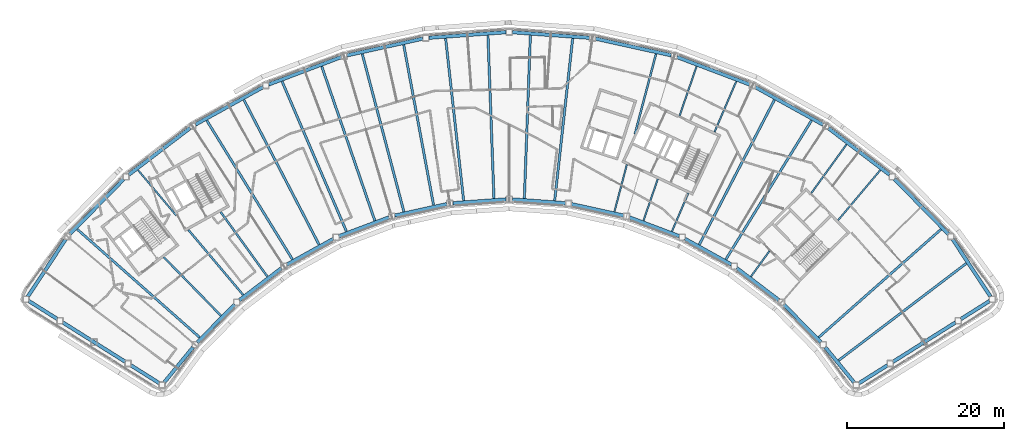
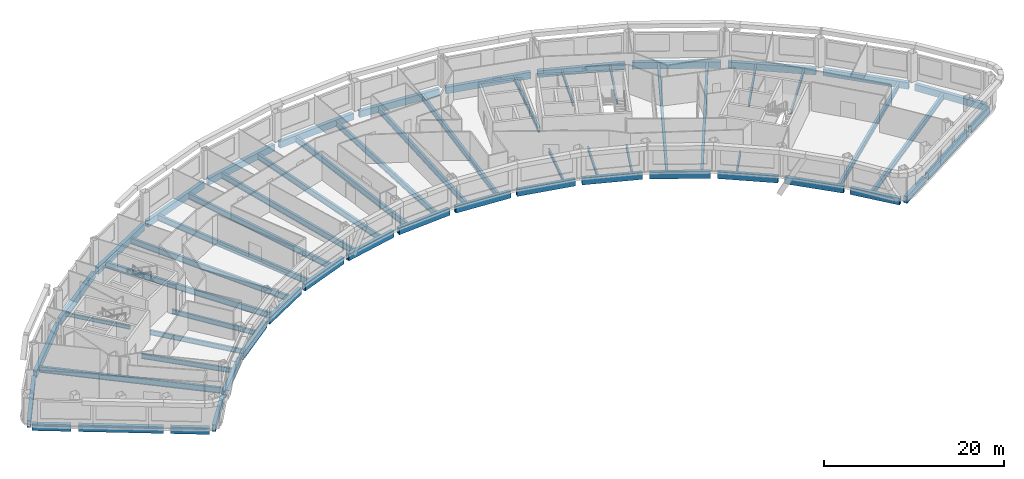
# One storey, part 3 of 14: 62 beams.
"""IFC4 building model written with IfcOpenShell, lengths in metres."""

from ifc_helpers import new_model, si_unit, direction, frame, origin, origin_2d, place, context, subcontext, project, spatial, hollow_rectangle, i_section, extrude, material, material_profile, profile_set, type_object, element, save


model = new_model("IFC4")

# Units and contexts
model_context = context("Model", 3, precision=1e-05, world=origin(), true_north=direction((0.0, 1.0)))
body_context = subcontext(model_context, "Body", "Model", "MODEL_VIEW")
ifc_project = project(units=[si_unit("LENGTHUNIT", "METRE"), si_unit("AREAUNIT", "SQUARE_METRE"), si_unit("VOLUMEUNIT", "CUBIC_METRE"), si_unit("PLANEANGLEUNIT", "RADIAN"), si_unit("MASSUNIT", "GRAM", prefix="KILO")], contexts=[model_context])

# Site, building, storey
site_placement = place(None, origin())
site = spatial("IfcSite", under=ifc_project, at=site_placement, CompositionType="ELEMENT")
building_placement = place(site_placement, origin())
building = spatial("IfcBuilding", under=site, at=building_placement, Name="Tuul Gate Civic Tower", CompositionType="ELEMENT")
storey_placement = place(building_placement, frame((0.0, 0.0, 269.39990234375)))
storey = spatial("IfcBuildingStorey", under=building, at=storey_placement, Name="Level 61", CompositionType="ELEMENT", Elevation=269.39990234375)

# Beams
ifc_material_1 = material(Name="Steel S355", Category="steel")
ifc_material_profile_1 = material_profile(ifc_material_1, i_section(OverallWidth=0.199951171875, OverallDepth=0.5, WebThickness=0.010009765625, FlangeThickness=0.01611328125, at=origin_2d()), Name="PG500x200x10x16")
ifc_profile_set_1 = profile_set([ifc_material_profile_1], Name="Steel S355")
beam_type_1 = type_object("IfcBeamType", Name="STR-FLOOR BEAM-PG500x200x10x16", PredefinedType="BEAM", material=ifc_profile_set_1)
beam_1_placement = place(storey_placement, frame((53.012939453125, -10.570068359375, -0.5498046875), z_axis=(0.644124963716, 0.764920277622, 0.0), x_axis=(-0.764920277622, 0.644124963716, 0.0)))
element("IfcBeam", 1, at=beam_1_placement, inside=storey, type_object=beam_type_1, Name="Floor beam", PredefinedType="BEAM", context=body_context, shape_type="SweptSolid", body=[
    extrude(i_section(OverallWidth=0.199951171875, OverallDepth=0.5, WebThickness=0.010009765625, FlangeThickness=0.01611328125, at=origin_2d()), origin(), (0.0, 0.0, 1.0), 8.367431640625),
])
beam_2_placement = place(storey_placement, frame((41.900390625, -17.74755859375, -0.5498046875), z_axis=(0.58608498793, 0.810249583106, 0.0), x_axis=(-0.810249583106, 0.58608498793, 0.0)))
element("IfcBeam", 2, at=beam_2_placement, inside=storey, type_object=beam_type_1, Name="Floor beam", PredefinedType="BEAM", context=body_context, shape_type="SweptSolid", body=[
    extrude(i_section(OverallWidth=0.199951171875, OverallDepth=0.5, WebThickness=0.010009765625, FlangeThickness=0.01611328125, at=origin_2d()), origin(), (0.0, 0.0, 1.0), 4.017822265625),
])
beam_3_placement = place(storey_placement, frame((49.606201171875, -7.094482421875, -0.5498046875), z_axis=(0.586082829809, 0.810251144154, 0.0), x_axis=(-0.810251144154, 0.586082829809, 0.0)))
element("IfcBeam", 3, at=beam_3_placement, inside=storey, type_object=beam_type_1, Name="Floor beam", PredefinedType="BEAM", context=body_context, shape_type="SweptSolid", body=[
    extrude(i_section(OverallWidth=0.199951171875, OverallDepth=0.5, WebThickness=0.010009765625, FlangeThickness=0.01611328125, at=origin_2d()), origin(), (0.0, 0.0, 1.0), 7.658447265625),
])
beam_4_placement = place(storey_placement, frame((31.8076171875, -11.986328125, -0.5498046875), z_axis=(0.394180828633, 0.919032901663, 0.0), x_axis=(-0.919032901663, 0.394180828633, 0.0)))
element("IfcBeam", 4, at=beam_4_placement, inside=storey, type_object=beam_type_1, Name="Floor beam", PredefinedType="BEAM", context=body_context, shape_type="SweptSolid", body=[
    extrude(i_section(OverallWidth=0.199951171875, OverallDepth=0.5, WebThickness=0.010009765625, FlangeThickness=0.01611328125, at=origin_2d()), origin(), (0.0, 0.0, 1.0), 5.294921875),
])
beam_5_placement = place(storey_placement, frame((37.247314453125, 0.695556640625, -0.5498046875), z_axis=(0.394187897698, 0.91902986965, 0.0), x_axis=(-0.91902986965, 0.394187897698, 0.0)))
element("IfcBeam", 5, at=beam_5_placement, inside=storey, type_object=beam_type_1, Name="Floor beam", PredefinedType="BEAM", context=body_context, shape_type="SweptSolid", body=[
    extrude(i_section(OverallWidth=0.199951171875, OverallDepth=0.5, WebThickness=0.010009765625, FlangeThickness=0.01611328125, at=origin_2d()), origin(), (0.0, 0.0, 1.0), 7.020263671875),
])
beam_6_placement = place(storey_placement, frame((28.17724609375, -10.613525390625, -0.5498046875), z_axis=(0.32546385433, 0.945554482579, 0.0), x_axis=(-0.945554482579, 0.32546385433, 0.0)))
element("IfcBeam", 6, at=beam_6_placement, inside=storey, type_object=beam_type_1, Name="Floor beam", PredefinedType="BEAM", context=body_context, shape_type="SweptSolid", body=[
    extrude(i_section(OverallWidth=0.199951171875, OverallDepth=0.5, WebThickness=0.010009765625, FlangeThickness=0.01611328125, at=origin_2d()), origin(), (0.0, 0.0, 1.0), 5.61328125),
])
beam_7_placement = place(storey_placement, frame((32.7861328125, 2.775634765625, -0.5498046875), z_axis=(0.325498409491, 0.94554258784, 0.0), x_axis=(-0.94554258784, 0.325498409491, 0.0)))
element("IfcBeam", 7, at=beam_7_placement, inside=storey, type_object=beam_type_1, Name="Floor beam", PredefinedType="BEAM", context=body_context, shape_type="SweptSolid", body=[
    extrude(i_section(OverallWidth=0.199951171875, OverallDepth=0.5, WebThickness=0.010009765625, FlangeThickness=0.01611328125, at=origin_2d()), origin(), (0.0, 0.0, 1.0), 6.649169921875),
])
beam_8_placement = place(storey_placement, frame((24.469482421875, -9.467041015625, -0.5498046875), z_axis=(0.254996491749, 0.966941978195, 0.0), x_axis=(-0.966941978195, 0.254996491749, 0.0)))
element("IfcBeam", 8, at=beam_8_placement, inside=storey, type_object=beam_type_1, Name="Floor beam", PredefinedType="BEAM", context=body_context, shape_type="SweptSolid", body=[
    extrude(i_section(OverallWidth=0.199951171875, OverallDepth=0.5, WebThickness=0.010009765625, FlangeThickness=0.01611328125, at=origin_2d()), origin(), (0.0, 0.0, 1.0), 6.208984375),
])
beam_9_placement = place(storey_placement, frame((-31.43212890625, -9.998779296875, -0.5498046875), z_axis=(-0.644120948452, 0.764923658782, 0.0), x_axis=(-0.764923658782, -0.644120948452, 0.0)))
element("IfcBeam", 9, at=beam_9_placement, inside=storey, type_object=beam_type_1, Name="Floor beam", PredefinedType="BEAM", context=body_context, shape_type="SweptSolid", body=[
    extrude(i_section(OverallWidth=0.199951171875, OverallDepth=0.5, WebThickness=0.010009765625, FlangeThickness=0.01611328125, at=origin_2d()), origin(), (0.0, 0.0, 1.0), 7.62109375),
])
ifc_material_2 = material(Name="Steel S355", Category="steel")
ifc_material_profile_2 = material_profile(ifc_material_2, i_section(OverallWidth=0.25, OverallDepth=0.64990234375, WebThickness=0.011962890625, FlangeThickness=0.02001953125, at=origin_2d()), Name="PG650x250x12x20")
ifc_profile_set_2 = profile_set([ifc_material_profile_2], Name="Steel S355")
beam_type_2 = type_object("IfcBeamType", Name="STR-FLOOR BEAM-PG650x250x12x20", PredefinedType="BEAM", material=ifc_profile_set_2)
beam_10_placement = place(storey_placement, frame((27.08447265625, 0.44873046875, -0.625), z_axis=(0.255007501185, 0.966939074782, 0.0), x_axis=(-0.966939074782, 0.255007501185, 0.0)))
element("IfcBeam", 10, at=beam_10_placement, inside=storey, type_object=beam_type_2, Name="Floor beam", PredefinedType="BEAM", context=body_context, shape_type="SweptSolid", body=[
    extrude(i_section(OverallWidth=0.25, OverallDepth=0.64990234375, WebThickness=0.011962890625, FlangeThickness=0.02001953125, at=origin_2d()), origin(), (0.0, 0.0, 1.0), 10.562744140625),
])
beam_11_placement = place(storey_placement, frame((-19.838623046875, -17.747314453125, -0.625), z_axis=(-0.586080278924, 0.810252989292, 0.0), x_axis=(-0.810252989292, -0.586080278924, 0.0)))
element("IfcBeam", 11, at=beam_11_placement, inside=storey, type_object=beam_type_2, Name="Floor beam", PredefinedType="BEAM", context=body_context, shape_type="SweptSolid", body=[
    extrude(i_section(OverallWidth=0.25, OverallDepth=0.64990234375, WebThickness=0.011962890625, FlangeThickness=0.02001953125, at=origin_2d()), origin(), (0.0, 0.0, 1.0), 10.18505859375),
])
beam_12_placement = place(storey_placement, frame((-22.927001953125, -20.0986328125, -0.625), z_axis=(-0.644130906332, 0.764915273418, 0.0), x_axis=(-0.764915273418, -0.644130906332, 0.0)))
element("IfcBeam", 12, at=beam_12_placement, inside=storey, type_object=beam_type_2, Name="Floor beam", PredefinedType="BEAM", context=body_context, shape_type="SweptSolid", body=[
    extrude(i_section(OverallWidth=0.25, OverallDepth=0.64990234375, WebThickness=0.011962890625, FlangeThickness=0.02001953125, at=origin_2d()), origin(), (0.0, 0.0, 1.0), 10.87451171875),
])
beam_13_placement = place(storey_placement, frame((-25.767333984375, -22.744140625, -0.625), z_axis=(-0.698680484376, 0.715433840933, 0.0), x_axis=(-0.715433840933, -0.698680484376, 0.0)))
element("IfcBeam", 13, at=beam_13_placement, inside=storey, type_object=beam_type_2, Name="Floor beam", PredefinedType="BEAM", context=body_context, shape_type="SweptSolid", body=[
    extrude(i_section(OverallWidth=0.25, OverallDepth=0.64990234375, WebThickness=0.011962890625, FlangeThickness=0.02001953125, at=origin_2d()), origin(), (0.0, 0.0, 1.0), 10.43408203125),
])
ifc_material_3 = material(Name="Steel S355", Category="steel")
ifc_material_profile_3 = material_profile(ifc_material_3, i_section(OverallWidth=0.300048828125, OverallDepth=0.800048828125, WebThickness=0.013916015625, FlangeThickness=0.02490234375, at=origin_2d()), Name="PG800x300x14x25")
ifc_profile_set_3 = profile_set([ifc_material_profile_3], Name="Steel S355")
beam_type_3 = type_object("IfcBeamType", Name="STR-FLOOR BEAM-PG800x300x14x25", PredefinedType="BEAM", material=ifc_profile_set_3)
beam_14_placement = place(storey_placement, frame((53.0859375, -28.4609375, -0.699951171875), z_axis=(0.796147939121, 0.605102023657, 0.0), x_axis=(-0.605102023657, 0.796147939121, 0.0)))
element("IfcBeam", 14, at=beam_14_placement, inside=storey, type_object=beam_type_3, Name="Floor beam", PredefinedType="BEAM", context=body_context, shape_type="SweptSolid", body=[
    extrude(i_section(OverallWidth=0.300048828125, OverallDepth=0.800048828125, WebThickness=0.013916015625, FlangeThickness=0.02490234375, at=origin_2d()), origin(), (0.0, 0.0, 1.0), 20.4619140625),
])
beam_15_placement = place(storey_placement, frame((50.546630859375, -25.51611328125, -0.699951171875), z_axis=(0.749454599758, 0.662055740026, 0.0), x_axis=(-0.662055740026, 0.749454599758, 0.0)))
element("IfcBeam", 15, at=beam_15_placement, inside=storey, type_object=beam_type_3, Name="Floor beam", PredefinedType="BEAM", context=body_context, shape_type="SweptSolid", body=[
    extrude(i_section(OverallWidth=0.300048828125, OverallDepth=0.800048828125, WebThickness=0.013916015625, FlangeThickness=0.02490234375, at=origin_2d()), origin(), (0.0, 0.0, 1.0), 20.82763671875),
])
beam_16_placement = place(storey_placement, frame((38.69677734375, -15.556396484375, -0.699951171875), z_axis=(0.524851468826, 0.851193829672, 0.0), x_axis=(-0.851193829672, 0.524851468826, 0.0)))
element("IfcBeam", 16, at=beam_16_placement, inside=storey, type_object=beam_type_3, Name="Floor beam", PredefinedType="BEAM", context=body_context, shape_type="SweptSolid", body=[
    extrude(i_section(OverallWidth=0.300048828125, OverallDepth=0.800048828125, WebThickness=0.013916015625, FlangeThickness=0.02490234375, at=origin_2d()), origin(), (0.0, 0.0, 1.0), 20.822998046875),
])
beam_17_placement = place(storey_placement, frame((35.30224609375, -13.67431640625, -0.699951171875), z_axis=(0.460781503105, 0.887513609133, 0.0), x_axis=(-0.887513609133, 0.460781503105, 0.0)))
element("IfcBeam", 17, at=beam_17_placement, inside=storey, type_object=beam_type_3, Name="Floor beam", PredefinedType="BEAM", context=body_context, shape_type="SweptSolid", body=[
    extrude(i_section(OverallWidth=0.300048828125, OverallDepth=0.800048828125, WebThickness=0.013916015625, FlangeThickness=0.02490234375, at=origin_2d()), origin(), (0.0, 0.0, 1.0), 20.807861328125),
])
beam_18_placement = place(storey_placement, frame((16.84228515625, -8.052001953125, -0.699951171875), z_axis=(0.110274472783, 0.993901172478, 0.0), x_axis=(-0.993901172478, 0.110274472783, 0.0)))
element("IfcBeam", 18, at=beam_18_placement, inside=storey, type_object=beam_type_3, Name="Floor beam", PredefinedType="BEAM", context=body_context, shape_type="SweptSolid", body=[
    extrude(i_section(OverallWidth=0.300048828125, OverallDepth=0.800048828125, WebThickness=0.013916015625, FlangeThickness=0.02490234375, at=origin_2d()), origin(), (0.0, 0.0, 1.0), 20.8154296875),
])
for number, where, z_axis, x_axis, name in (
    (19, (12.971435546875, -7.771728515625, -0.699951171875), (0.036820764609, 0.999321885727, 0.0), (-0.999321885727, 0.036820764609, 0.0), "Floor beam"),
    (20, (9.090576171875, -7.771728515625, -0.699951171875), (-0.036832478792, 0.999321454041, 0.0), (-0.999321454041, -0.036832478792, 0.0), "Floor beam"),
):
    element("IfcBeam", number, at=place(storey_placement, frame(where, z_axis=z_axis, x_axis=x_axis)), inside=storey, type_object=beam_type_3, Name=name, PredefinedType="BEAM", context=body_context, shape_type="SweptSolid", body=[
        extrude(i_section(OverallWidth=0.300048828125, OverallDepth=0.800048828125, WebThickness=0.013916015625, FlangeThickness=0.02490234375, at=origin_2d()), origin(), (0.0, 0.0, 1.0), 20.813232421875),
    ])
beam_19_placement = place(storey_placement, frame((5.2197265625, -8.052001953125, -0.699951171875), z_axis=(-0.110286058964, 0.993899886909, 0.0), x_axis=(-0.993899886909, -0.110286058964, 0.0)))
element("IfcBeam", 21, at=beam_19_placement, inside=storey, type_object=beam_type_3, Name="Floor beam", PredefinedType="BEAM", context=body_context, shape_type="SweptSolid", body=[
    extrude(i_section(OverallWidth=0.300048828125, OverallDepth=0.800048828125, WebThickness=0.013916015625, FlangeThickness=0.02490234375, at=origin_2d()), origin(), (0.0, 0.0, 1.0), 20.8154296875),
])
beam_20_placement = place(storey_placement, frame((1.38232421875, -8.631591796875, -0.699951171875), z_axis=(-0.1831360046, 0.983087587054, 0.0), x_axis=(-0.983087587054, -0.1831360046, 0.0)))
element("IfcBeam", 22, at=beam_20_placement, inside=storey, type_object=beam_type_3, Name="Floor beam", PredefinedType="BEAM", context=body_context, shape_type="SweptSolid", body=[
    extrude(i_section(OverallWidth=0.300048828125, OverallDepth=0.800048828125, WebThickness=0.013916015625, FlangeThickness=0.02490234375, at=origin_2d()), origin(), (0.0, 0.0, 1.0), 20.811279296875),
])
beam_21_placement = place(storey_placement, frame((-2.40771484375, -9.467041015625, -0.699951171875), z_axis=(-0.255004720301, 0.96693980817, 0.0), x_axis=(-0.96693980817, -0.255004720301, 0.0)))
element("IfcBeam", 23, at=beam_21_placement, inside=storey, type_object=beam_type_3, Name="Floor beam", PredefinedType="BEAM", context=body_context, shape_type="SweptSolid", body=[
    extrude(i_section(OverallWidth=0.300048828125, OverallDepth=0.800048828125, WebThickness=0.013916015625, FlangeThickness=0.02490234375, at=origin_2d()), origin(), (0.0, 0.0, 1.0), 20.817626953125),
])
beam_22_placement = place(storey_placement, frame((-6.115478515625, -10.613525390625, -0.699951171875), z_axis=(-0.325476485131, 0.945550134909, 0.0), x_axis=(-0.945550134909, -0.325476485131, 0.0)))
element("IfcBeam", 24, at=beam_22_placement, inside=storey, type_object=beam_type_3, Name="Floor beam", PredefinedType="BEAM", context=body_context, shape_type="SweptSolid", body=[
    extrude(i_section(OverallWidth=0.300048828125, OverallDepth=0.800048828125, WebThickness=0.013916015625, FlangeThickness=0.02490234375, at=origin_2d()), origin(), (0.0, 0.0, 1.0), 20.809326171875),
])
beam_23_placement = place(storey_placement, frame((-9.74560546875, -11.986328125, -0.699951171875), z_axis=(-0.394206576273, 0.919021857859, 0.0), x_axis=(-0.919021857859, -0.394206576273, 0.0)))
element("IfcBeam", 25, at=beam_23_placement, inside=storey, type_object=beam_type_3, Name="Floor beam", PredefinedType="BEAM", context=body_context, shape_type="SweptSolid", body=[
    extrude(i_section(OverallWidth=0.300048828125, OverallDepth=0.800048828125, WebThickness=0.013916015625, FlangeThickness=0.02490234375, at=origin_2d()), origin(), (0.0, 0.0, 1.0), 20.81982421875),
])
beam_24_placement = place(storey_placement, frame((-13.240478515625, -13.674072265625, -0.699951171875), z_axis=(-0.460777059353, 0.887515916237, 0.0), x_axis=(-0.887515916237, -0.460777059353, 0.0)))
element("IfcBeam", 26, at=beam_24_placement, inside=storey, type_object=beam_type_3, Name="Floor beam", PredefinedType="BEAM", context=body_context, shape_type="SweptSolid", body=[
    extrude(i_section(OverallWidth=0.300048828125, OverallDepth=0.800048828125, WebThickness=0.013916015625, FlangeThickness=0.02490234375, at=origin_2d()), origin(), (0.0, 0.0, 1.0), 20.8076171875),
])
beam_25_placement = place(storey_placement, frame((-16.63525390625, -15.55615234375, -0.699951171875), z_axis=(-0.524839716817, 0.851201075922, 0.0), x_axis=(-0.851201075922, -0.524839716817, 0.0)))
element("IfcBeam", 27, at=beam_25_placement, inside=storey, type_object=beam_type_3, Name="Floor beam", PredefinedType="BEAM", context=body_context, shape_type="SweptSolid", body=[
    extrude(i_section(OverallWidth=0.300048828125, OverallDepth=0.800048828125, WebThickness=0.013916015625, FlangeThickness=0.02490234375, at=origin_2d()), origin(), (0.0, 0.0, 1.0), 20.822509765625),
])
beam_26_placement = place(storey_placement, frame((-28.48486328125, -25.51611328125, -0.699951171875), z_axis=(-0.749449461751, 0.662061556263, 0.0), x_axis=(-0.662061556263, -0.749449461751, 0.0)))
element("IfcBeam", 28, at=beam_26_placement, inside=storey, type_object=beam_type_3, Name="Floor beam", PredefinedType="BEAM", context=body_context, shape_type="SweptSolid", body=[
    extrude(i_section(OverallWidth=0.300048828125, OverallDepth=0.800048828125, WebThickness=0.013916015625, FlangeThickness=0.02490234375, at=origin_2d()), origin(), (0.0, 0.0, 1.0), 20.827392578125),
])
ifc_material_4 = material(Name="Steel S355", Category="steel")
ifc_material_profile_4 = material_profile(ifc_material_4, hollow_rectangle(XDim=0.449951171875, YDim=0.89990234375, WallThickness=0.02490234375, at=origin_2d()), Name="BOX900x450x25")
ifc_profile_set_4 = profile_set([ifc_material_profile_4], Name="Steel S355")
beam_type_4 = type_object("IfcBeamType", Name="STR-SPANDREL BEAM-BOX900x450x25", PredefinedType="BEAM", material=ifc_profile_set_4)
beam_27_placement = place(storey_placement, frame((72.4814453125, -20.3203125, -0.75), z_axis=(-0.551644580762, 0.834079286708, 0.0), x_axis=(-0.834079286708, -0.551644580762, 0.0)))
element("IfcBeam", 29, at=beam_27_placement, inside=storey, type_object=beam_type_4, Name="Spandrel beam", PredefinedType="BEAM", context=body_context, shape_type="SweptSolid", body=[
    extrude(hollow_rectangle(XDim=0.449951171875, YDim=0.89990234375, WallThickness=0.02490234375, at=origin_2d()), origin(), (0.0, 0.0, 1.0), 8.805908203125),
])
beam_28_placement = place(storey_placement, frame((67.123046875, -12.3564453125, -0.75), z_axis=(-0.700052630296, 0.714091251042, 0.0), x_axis=(-0.714091251042, -0.700052630296, 0.0)))
element("IfcBeam", 30, at=beam_28_placement, inside=storey, type_object=beam_type_4, Name="Spandrel beam", PredefinedType="BEAM", context=body_context, shape_type="SweptSolid", body=[
    extrude(hollow_rectangle(XDim=0.449951171875, YDim=0.89990234375, WallThickness=0.02490234375, at=origin_2d()), origin(), (0.0, 0.0, 1.0), 9.8779296875),
])
beam_29_placement = place(storey_placement, frame((59.60986328125, -4.774658203125, -0.75), z_axis=(-0.795586019059, 0.605840644294, 0.0), x_axis=(-0.605840644294, -0.795586019059, 0.0)))
element("IfcBeam", 31, at=beam_29_placement, inside=storey, type_object=beam_type_4, Name="Spandrel beam", PredefinedType="BEAM", context=body_context, shape_type="SweptSolid", body=[
    extrude(hollow_rectangle(XDim=0.449951171875, YDim=0.89990234375, WallThickness=0.02490234375, at=origin_2d()), origin(), (0.0, 0.0, 1.0), 9.877685546875),
])
beam_30_placement = place(storey_placement, frame((51.083251953125, 1.64599609375, -0.75), z_axis=(-0.874631416408, 0.484788495565, 0.0), x_axis=(-0.484788495565, -0.874631416408, 0.0)))
element("IfcBeam", 32, at=beam_30_placement, inside=storey, type_object=beam_type_4, Name="Spandrel beam", PredefinedType="BEAM", context=body_context, shape_type="SweptSolid", body=[
    extrude(hollow_rectangle(XDim=0.449951171875, YDim=0.89990234375, WallThickness=0.02490234375, at=origin_2d()), origin(), (0.0, 0.0, 1.0), 9.876708984375),
])
beam_31_placement = place(storey_placement, frame((41.720947265625, 6.76953125, -0.75), z_axis=(-0.935348375613, 0.353727884451, 0.0), x_axis=(-0.353727884451, -0.935348375613, 0.0)))
element("IfcBeam", 33, at=beam_31_placement, inside=storey, type_object=beam_type_4, Name="Spandrel beam", PredefinedType="BEAM", context=body_context, shape_type="SweptSolid", body=[
    extrude(hollow_rectangle(XDim=0.449951171875, YDim=0.89990234375, WallThickness=0.02490234375, at=origin_2d()), origin(), (0.0, 0.0, 1.0), 9.87744140625),
])
beam_32_placement = place(storey_placement, frame((31.71728515625, 10.490966796875, -0.75), z_axis=(-0.976565880984, 0.215218679716, 0.0), x_axis=(-0.215218679716, -0.976565880984, 0.0)))
element("IfcBeam", 34, at=beam_32_placement, inside=storey, type_object=beam_type_4, Name="Spandrel beam", PredefinedType="BEAM", context=body_context, shape_type="SweptSolid", body=[
    extrude(hollow_rectangle(XDim=0.449951171875, YDim=0.89990234375, WallThickness=0.02490234375, at=origin_2d()), origin(), (0.0, 0.0, 1.0), 9.878173828125),
])
beam_33_placement = place(storey_placement, frame((21.281005859375, 12.73193359375, -0.75), z_axis=(-0.997389983978, 0.072202630563, 0.0), x_axis=(-0.072202630563, -0.997389983978, 0.0)))
element("IfcBeam", 35, at=beam_33_placement, inside=storey, type_object=beam_type_4, Name="Spandrel beam", PredefinedType="BEAM", context=body_context, shape_type="SweptSolid", body=[
    extrude(hollow_rectangle(XDim=0.449951171875, YDim=0.89990234375, WallThickness=0.02490234375, at=origin_2d()), origin(), (0.0, 0.0, 1.0), 9.876953125),
])
beam_34_placement = place(storey_placement, frame((10.632080078125, 13.445068359375, -0.75), z_axis=(-0.997390499353, -0.072195510943, 0.0), x_axis=(0.072195510943, -0.997390499353, 0.0)))
element("IfcBeam", 36, at=beam_34_placement, inside=storey, type_object=beam_type_4, Name="Spandrel beam", PredefinedType="BEAM", context=body_context, shape_type="SweptSolid", body=[
    extrude(hollow_rectangle(XDim=0.449951171875, YDim=0.89990234375, WallThickness=0.02490234375, at=origin_2d()), origin(), (0.0, 0.0, 1.0), 9.8779296875),
])
beam_35_placement = place(storey_placement, frame((-0.009521484375, 12.616943359375, -0.75), z_axis=(-0.97656649642, -0.215215887123, 0.0), x_axis=(0.215215887123, -0.97656649642, 0.0)))
element("IfcBeam", 37, at=beam_35_placement, inside=storey, type_object=beam_type_4, Name="Spandrel beam", PredefinedType="BEAM", context=body_context, shape_type="SweptSolid", body=[
    extrude(hollow_rectangle(XDim=0.449951171875, YDim=0.89990234375, WallThickness=0.02490234375, at=origin_2d()), origin(), (0.0, 0.0, 1.0), 9.877197265625),
])
beam_36_placement = place(storey_placement, frame((-10.420166015625, 10.263427734375, -0.75), z_axis=(-0.935348375613, -0.353727884451, 0.0), x_axis=(0.353727884451, -0.935348375613, 0.0)))
element("IfcBeam", 38, at=beam_36_placement, inside=storey, type_object=beam_type_4, Name="Spandrel beam", PredefinedType="BEAM", context=body_context, shape_type="SweptSolid", body=[
    extrude(hollow_rectangle(XDim=0.449951171875, YDim=0.89990234375, WallThickness=0.02490234375, at=origin_2d()), origin(), (0.0, 0.0, 1.0), 9.87744140625),
])
beam_37_placement = place(storey_placement, frame((-20.3828125, 6.43408203125, -0.75), z_axis=(-0.874631416408, -0.484788495565, 0.0), x_axis=(0.484788495565, -0.874631416408, 0.0)))
element("IfcBeam", 39, at=beam_37_placement, inside=storey, type_object=beam_type_4, Name="Spandrel beam", PredefinedType="BEAM", context=body_context, shape_type="SweptSolid", body=[
    extrude(hollow_rectangle(XDim=0.449951171875, YDim=0.89990234375, WallThickness=0.02490234375, at=origin_2d()), origin(), (0.0, 0.0, 1.0), 9.876708984375),
])
beam_38_placement = place(storey_placement, frame((-29.689208984375, 1.209716796875, -0.75), z_axis=(-0.795622302229, -0.605792994509, 0.0), x_axis=(0.605792994509, -0.795622302229, 0.0)))
element("IfcBeam", 40, at=beam_38_placement, inside=storey, type_object=beam_type_4, Name="Spandrel beam", PredefinedType="BEAM", context=body_context, shape_type="SweptSolid", body=[
    extrude(hollow_rectangle(XDim=0.449951171875, YDim=0.89990234375, WallThickness=0.02490234375, at=origin_2d()), origin(), (0.0, 0.0, 1.0), 9.878662109375),
])
beam_39_placement = place(storey_placement, frame((-38.14697265625, -5.302734375, -0.75), z_axis=(-0.700002211949, -0.714140674704, 0.0), x_axis=(0.714140674704, -0.700002211949, 0.0)))
element("IfcBeam", 41, at=beam_39_placement, inside=storey, type_object=beam_type_4, Name="Spandrel beam", PredefinedType="BEAM", context=body_context, shape_type="SweptSolid", body=[
    extrude(hollow_rectangle(XDim=0.449951171875, YDim=0.89990234375, WallThickness=0.02490234375, at=origin_2d()), origin(), (0.0, 0.0, 1.0), 9.877197265625),
])
beam_40_placement = place(storey_placement, frame((-45.561767578125, -12.9755859375, -0.75), z_axis=(-0.551644580762, -0.834079286708, 0.0), x_axis=(0.834079286708, -0.551644580762, 0.0)))
element("IfcBeam", 42, at=beam_40_placement, inside=storey, type_object=beam_type_4, Name="Spandrel beam", PredefinedType="BEAM", context=body_context, shape_type="SweptSolid", body=[
    extrude(hollow_rectangle(XDim=0.449951171875, YDim=0.89990234375, WallThickness=0.02490234375, at=origin_2d()), origin(), (0.0, 0.0, 1.0), 8.805908203125),
])
beam_41_placement = place(storey_placement, frame((-50.301513671875, -20.8671875, -0.75), z_axis=(0.84613117079, -0.532974710298, 0.0), x_axis=(0.532974710298, 0.84613117079, 0.0)))
element("IfcBeam", 43, at=beam_41_placement, inside=storey, type_object=beam_type_4, Name="Spandrel beam", PredefinedType="BEAM", context=body_context, shape_type="SweptSolid", body=[
    extrude(hollow_rectangle(XDim=0.449951171875, YDim=0.89990234375, WallThickness=0.02490234375, at=origin_2d()), origin(), (0.0, 0.0, 1.0), 4.33154296875),
])
beam_42_placement = place(storey_placement, frame((-45.95947265625, -23.60205078125, -0.75), z_axis=(0.84620354352, -0.532859796695, 0.0), x_axis=(0.532859796695, 0.84620354352, 0.0)))
element("IfcBeam", 44, at=beam_42_placement, inside=storey, type_object=beam_type_4, Name="Spandrel beam", PredefinedType="BEAM", context=body_context, shape_type="SweptSolid", body=[
    extrude(hollow_rectangle(XDim=0.449951171875, YDim=0.89990234375, WallThickness=0.02490234375, at=origin_2d()), origin(), (0.0, 0.0, 1.0), 9.463623046875),
])
beam_43_placement = place(storey_placement, frame((-37.2744140625, -29.071044921875, -0.75), z_axis=(0.846271424817, -0.532751983138, 0.0), x_axis=(0.532751983138, 0.846271424817, 0.0)))
element("IfcBeam", 45, at=beam_43_placement, inside=storey, type_object=beam_type_4, Name="Spandrel beam", PredefinedType="BEAM", context=body_context, shape_type="SweptSolid", body=[
    extrude(hollow_rectangle(XDim=0.449951171875, YDim=0.89990234375, WallThickness=0.02490234375, at=origin_2d()), origin(), (0.0, 0.0, 1.0), 4.33203125),
])
beam_44_placement = place(storey_placement, frame((-33.016357421875, -31.28271484375, -0.75), z_axis=(0.63442976414, 0.772980513579, 0.0), x_axis=(-0.772980513579, 0.63442976414, 0.0)))
element("IfcBeam", 46, at=beam_44_placement, inside=storey, type_object=beam_type_4, Name="Spandrel beam", PredefinedType="BEAM", context=body_context, shape_type="SweptSolid", body=[
    extrude(hollow_rectangle(XDim=0.449951171875, YDim=0.89990234375, WallThickness=0.02490234375, at=origin_2d()), origin(), (0.0, 0.0, 1.0), 5.85205078125),
])
beam_45_placement = place(storey_placement, frame((-28.77001953125, -26.164306640625, -0.75), z_axis=(0.700025402034, 0.714117942995, 0.0), x_axis=(-0.714117942995, 0.700025402034, 0.0)))
element("IfcBeam", 47, at=beam_45_placement, inside=storey, type_object=beam_type_4, Name="Spandrel beam", PredefinedType="BEAM", context=body_context, shape_type="SweptSolid", body=[
    extrude(hollow_rectangle(XDim=0.449951171875, YDim=0.89990234375, WallThickness=0.02490234375, at=origin_2d()), origin(), (0.0, 0.0, 1.0), 6.791015625),
])
beam_46_placement = place(storey_placement, frame((-23.417724609375, -20.78662109375, -0.75), z_axis=(0.795626424775, 0.605787580098, 0.0), x_axis=(-0.605787580098, 0.795626424775, 0.0)))
element("IfcBeam", 48, at=beam_46_placement, inside=storey, type_object=beam_type_4, Name="Spandrel beam", PredefinedType="BEAM", context=body_context, shape_type="SweptSolid", body=[
    extrude(hollow_rectangle(XDim=0.449951171875, YDim=0.89990234375, WallThickness=0.02490234375, at=origin_2d()), origin(), (0.0, 0.0, 1.0), 6.79150390625),
])
beam_47_placement = place(storey_placement, frame((-17.34619140625, -16.236083984375, -0.75), z_axis=(0.87459604926, 0.484852297734, 0.0), x_axis=(-0.484852297734, 0.87459604926, 0.0)))
element("IfcBeam", 49, at=beam_47_placement, inside=storey, type_object=beam_type_4, Name="Spandrel beam", PredefinedType="BEAM", context=body_context, shape_type="SweptSolid", body=[
    extrude(hollow_rectangle(XDim=0.449951171875, YDim=0.89990234375, WallThickness=0.02490234375, at=origin_2d()), origin(), (0.0, 0.0, 1.0), 6.792236328125),
])
beam_48_placement = place(storey_placement, frame((-10.681884765625, -12.607421875, -0.75), z_axis=(0.935378837958, 0.353647323617, 0.0), x_axis=(-0.353647323617, 0.935378837958, 0.0)))
element("IfcBeam", 50, at=beam_48_placement, inside=storey, type_object=beam_type_4, Name="Spandrel beam", PredefinedType="BEAM", context=body_context, shape_type="SweptSolid", body=[
    extrude(hollow_rectangle(XDim=0.449951171875, YDim=0.89990234375, WallThickness=0.02490234375, at=origin_2d()), origin(), (0.0, 0.0, 1.0), 6.791748046875),
])
for number, where, z_axis, x_axis, name in (
    (51, (-3.564453125, -9.97802734375, -0.75), (0.976561119915, 0.215240282172, 0.0), (-0.215240282172, 0.976561119915, 0.0), "Spandrel beam"),
    (52, (3.85791015625, -8.401123046875, -0.75), (0.997391663711, 0.072179423387, 0.0), (-0.072179423387, 0.997391663711, 0.0), "Spandrel beam"),
    (53, (11.429931640625, -7.910888671875, -0.75), (0.997391663711, -0.072179423387, 0.0), (0.072179423387, 0.997391663711, 0.0), "Spandrel beam"),
    (54, (18.99365234375, -8.51611328125, -0.75), (0.976561119915, -0.215240282172, 0.0), (0.215240282172, 0.976561119915, 0.0), "Spandrel beam"),
):
    element("IfcBeam", number, at=place(storey_placement, frame(where, z_axis=z_axis, x_axis=x_axis)), inside=storey, type_object=beam_type_4, Name=name, PredefinedType="BEAM", context=body_context, shape_type="SweptSolid", body=[
        extrude(hollow_rectangle(XDim=0.449951171875, YDim=0.89990234375, WallThickness=0.02490234375, at=origin_2d()), origin(), (0.0, 0.0, 1.0), 6.7919921875),
    ])
beam_49_placement = place(storey_placement, frame((26.39111328125, -10.20556640625, -0.75), z_axis=(0.935378837958, -0.353647323617, 0.0), x_axis=(0.353647323617, 0.935378837958, 0.0)))
element("IfcBeam", 55, at=beam_49_placement, inside=storey, type_object=beam_type_4, Name="Spandrel beam", PredefinedType="BEAM", context=body_context, shape_type="SweptSolid", body=[
    extrude(hollow_rectangle(XDim=0.449951171875, YDim=0.89990234375, WallThickness=0.02490234375, at=origin_2d()), origin(), (0.0, 0.0, 1.0), 6.791748046875),
])
beam_50_placement = place(storey_placement, frame((33.4677734375, -12.94287109375, -0.75), z_axis=(0.874562243514, -0.484913272885, 0.0), x_axis=(0.484913272885, 0.874562243514, 0.0)))
element("IfcBeam", 56, at=beam_50_placement, inside=storey, type_object=beam_type_4, Name="Spandrel beam", PredefinedType="BEAM", context=body_context, shape_type="SweptSolid", body=[
    extrude(hollow_rectangle(XDim=0.449951171875, YDim=0.89990234375, WallThickness=0.02490234375, at=origin_2d()), origin(), (0.0, 0.0, 1.0), 6.791259765625),
])
beam_51_placement = place(storey_placement, frame((40.0751953125, -16.67236328125, -0.75), z_axis=(0.795679183599, -0.605718281701, 0.0), x_axis=(0.605718281701, 0.795679183599, 0.0)))
element("IfcBeam", 57, at=beam_51_placement, inside=storey, type_object=beam_type_4, Name="Spandrel beam", PredefinedType="BEAM", context=body_context, shape_type="SweptSolid", body=[
    extrude(hollow_rectangle(XDim=0.449951171875, YDim=0.89990234375, WallThickness=0.02490234375, at=origin_2d()), origin(), (0.0, 0.0, 1.0), 6.79248046875),
])
beam_52_placement = place(storey_placement, frame((46.078125, -21.314697265625, -0.75), z_axis=(0.700025402034, -0.714117942995, 0.0), x_axis=(0.714117942995, 0.700025402034, 0.0)))
element("IfcBeam", 58, at=beam_52_placement, inside=storey, type_object=beam_type_4, Name="Spandrel beam", PredefinedType="BEAM", context=body_context, shape_type="SweptSolid", body=[
    extrude(hollow_rectangle(XDim=0.449951171875, YDim=0.89990234375, WallThickness=0.02490234375, at=origin_2d()), origin(), (0.0, 0.0, 1.0), 6.791015625),
])
beam_53_placement = place(storey_placement, frame((51.36572265625, -26.75927734375, -0.75), z_axis=(0.634404835744, -0.773000973081, 0.0), x_axis=(0.773000973081, 0.634404835744, 0.0)))
element("IfcBeam", 59, at=beam_53_placement, inside=storey, type_object=beam_type_4, Name="Spandrel beam", PredefinedType="BEAM", context=body_context, shape_type="SweptSolid", body=[
    extrude(hollow_rectangle(XDim=0.449951171875, YDim=0.89990234375, WallThickness=0.02490234375, at=origin_2d()), origin(), (0.0, 0.0, 1.0), 5.851806640625),
])
beam_54_placement = place(storey_placement, frame((55.67041015625, -31.37890625, -0.75), z_axis=(0.846207423362, 0.532853635295, 0.0), x_axis=(-0.532853635295, 0.846207423362, 0.0)))
element("IfcBeam", 60, at=beam_54_placement, inside=storey, type_object=beam_type_4, Name="Spandrel beam", PredefinedType="BEAM", context=body_context, shape_type="SweptSolid", body=[
    extrude(hollow_rectangle(XDim=0.449951171875, YDim=0.89990234375, WallThickness=0.02490234375, at=origin_2d()), origin(), (0.0, 0.0, 1.0), 4.3310546875),
])
beam_55_placement = place(storey_placement, frame((60.012451171875, -28.644775390625, -0.75), z_axis=(0.84620354352, 0.532859796695, 0.0), x_axis=(-0.532859796695, 0.84620354352, 0.0)))
element("IfcBeam", 61, at=beam_55_placement, inside=storey, type_object=beam_type_4, Name="Spandrel beam", PredefinedType="BEAM", context=body_context, shape_type="SweptSolid", body=[
    extrude(hollow_rectangle(XDim=0.449951171875, YDim=0.89990234375, WallThickness=0.02490234375, at=origin_2d()), origin(), (0.0, 0.0, 1.0), 9.463623046875),
])
beam_56_placement = place(storey_placement, frame((68.697509765625, -23.17578125, -0.75), z_axis=(0.846195195567, 0.532873053362, 0.0), x_axis=(-0.532873053362, 0.846195195567, 0.0)))
element("IfcBeam", 62, at=beam_56_placement, inside=storey, type_object=beam_type_4, Name="Spandrel beam", PredefinedType="BEAM", context=body_context, shape_type="SweptSolid", body=[
    extrude(hollow_rectangle(XDim=0.449951171875, YDim=0.89990234375, WallThickness=0.02490234375, at=origin_2d()), origin(), (0.0, 0.0, 1.0), 4.332275390625),
])

save(model, "model.ifc")
